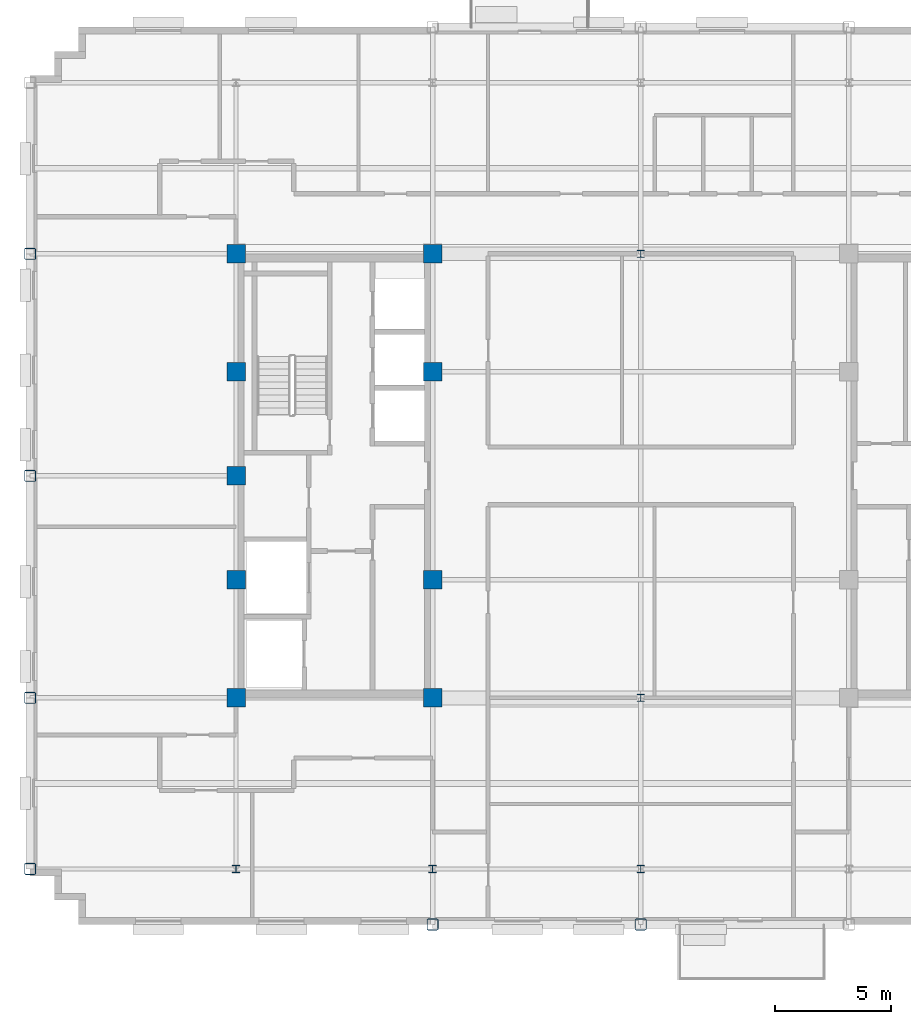
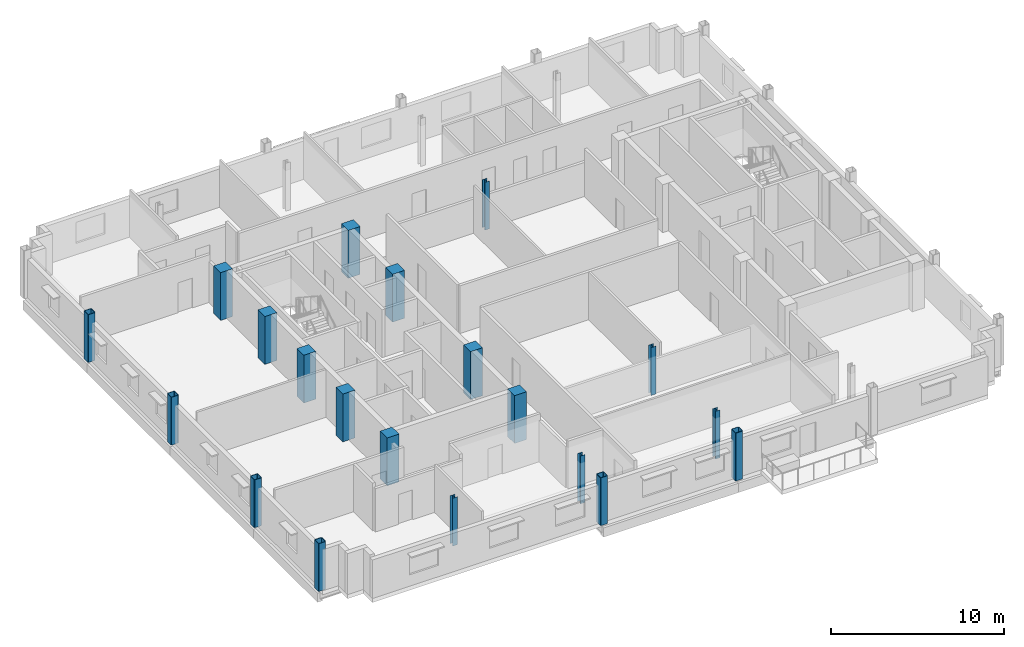
# One storey, part 1 of 13: 20 columns.
"""IFC4 building model written with IfcOpenShell, lengths in metres."""

from ifc_helpers import new_model, si_unit, direction, frame, origin, origin_2d, place, context, subcontext, project, spatial, rectangle, hollow_rectangle, i_section, extrude, material, material_profile, profile_set, type_object, element, save


model = new_model("IFC4")

# Units and contexts
model_context = context("Model", 3, precision=1e-05, world=origin(), true_north=direction((0.0, 1.0)))
body_context = subcontext(model_context, "Body", "Model", "MODEL_VIEW")
ifc_project = project(units=[si_unit("LENGTHUNIT", "METRE"), si_unit("AREAUNIT", "SQUARE_METRE"), si_unit("VOLUMEUNIT", "CUBIC_METRE"), si_unit("PLANEANGLEUNIT", "RADIAN"), si_unit("MASSUNIT", "GRAM", prefix="KILO")], contexts=[model_context])

# Site, building, storey
site_placement = place(None, origin())
site = spatial("IfcSite", under=ifc_project, at=site_placement, CompositionType="ELEMENT")
building_placement = place(site_placement, origin())
building = spatial("IfcBuilding", under=site, at=building_placement, Name="Nuvemarco Arch Tower", CompositionType="ELEMENT")
storey_placement = place(building_placement, frame((0.0, 0.0, 231.050048828125)))
storey = spatial("IfcBuildingStorey", under=building, at=storey_placement, Name="L61", CompositionType="ELEMENT", Elevation=231.050048828125)

# Columns
ifc_material_1 = material(Name="Concrete C50/60", Category="concrete")
ifc_material_profile_1 = material_profile(ifc_material_1, rectangle(XDim=0.800048828125, YDim=0.800048828125, at=origin_2d()), Name="RC-COL-800x800")
ifc_profile_set_1 = profile_set([ifc_material_profile_1], Name="Concrete C50/60")
column_type_1 = type_object("IfcColumnType", Name="COL-CORE-800", PredefinedType="COLUMN", material=ifc_profile_set_1)
for number, where, z_axis, x_axis, name in (
    (1, (-17.5, -9.60009765625, 0.0), (0.0, 0.0, 1.0), (1.0, 0.0, 0.0), "L61 column CC_-17.5_-9.6"),
    (2, (-17.5, -4.5, 0.0), (0.0, 0.0, 1.0), (1.0, 0.0, 0.0), "L61 column CC_-17.5_-4.5"),
    (3, (-17.5, 4.5, 0.0), (0.0, 0.0, 1.0), (1.0, 0.0, 0.0), "L61 column CC_-17.5_+4.5"),
    (4, (-17.5, 9.60009765625, 0.0), (0.0, 0.0, 1.0), (1.0, 0.0, 0.0), "L61 column CC_-17.5_+9.6"),
    (5, (-9.0, -9.60009765625, 0.0), (0.0, 0.0, 1.0), (1.0, 0.0, 0.0), "L61 column CC_-9.0_-9.6"),
    (6, (-9.0, -4.5, 0.0), (0.0, 0.0, 1.0), (1.0, 0.0, 0.0), "L61 column CC_-9.0_-4.5"),
    (7, (-9.0, 4.5, 0.0), (0.0, 0.0, 1.0), (1.0, 0.0, 0.0), "L61 column CC_-9.0_+4.5"),
    (8, (-9.0, 9.60009765625, 0.0), (0.0, 0.0, 1.0), (1.0, 0.0, 0.0), "L61 column CC_-9.0_+9.6"),
    (9, (-17.5, 0.0, 0.0), (0.0, 0.0, 1.0), (1.0, 0.0, 0.0), "L61 column CC_-17.5_+0.0"),
):
    element("IfcColumn", number, at=place(storey_placement, frame(where, z_axis=z_axis, x_axis=x_axis)), inside=storey, type_object=column_type_1, Name=name, PredefinedType="COLUMN", context=body_context, shape_type="SweptSolid", body=[
        extrude(rectangle(XDim=0.800048828125, YDim=0.800048828125, at=origin_2d()), origin(), (0.0, 0.0, 1.0), 3.369873046875),
    ])
ifc_material_2 = material(Name="Steel S355", Category="steel")
ifc_material_profile_2 = material_profile(ifc_material_2, hollow_rectangle(XDim=0.5, YDim=0.5, WallThickness=0.031982421875, InnerFilletRadius=0.031982421875, OuterFilletRadius=0.06396484375, at=origin_2d()), Name="SHS500x500x32")
ifc_profile_set_2 = profile_set([ifc_material_profile_2], Name="Steel S355")
column_type_2 = type_object("IfcColumnType", Name="COL-EXO-500", PredefinedType="COLUMN", material=ifc_profile_set_2)
for number, where, z_axis, x_axis, name in (
    (10, (-26.39990234375, -17.0, 0.0), (0.0, 0.0, 1.0), (1.0, 0.0, 0.0), "L61 column CX_-26.4_-17.0"),
    (11, (-26.39990234375, -9.60009765625, 0.0), (0.0, 0.0, 1.0), (1.0, 0.0, 0.0), "L61 column CX_-26.4_-9.6"),
    (12, (-26.39990234375, 0.0, 0.0), (0.0, 0.0, 1.0), (1.0, 0.0, 0.0), "L61 column CX_-26.4_+0.0"),
    (13, (-26.39990234375, 9.60009765625, 0.0), (0.0, 0.0, 1.0), (1.0, 0.0, 0.0), "L61 column CX_-26.4_+9.6"),
    (14, (-9.0, -19.39990234375, 0.0), (0.0, 0.0, 1.0), (1.0, 0.0, 0.0), "L61 column CY_-9.0_-19.4"),
    (15, (0.0, -19.39990234375, 0.0), (0.0, 0.0, 1.0), (1.0, 0.0, 0.0), "L61 column CY_+0.0_-19.4"),
):
    element("IfcColumn", number, at=place(storey_placement, frame(where, z_axis=z_axis, x_axis=x_axis)), inside=storey, type_object=column_type_2, Name=name, PredefinedType="COLUMN", context=body_context, shape_type="SweptSolid", body=[
        extrude(hollow_rectangle(XDim=0.5, YDim=0.5, WallThickness=0.031982421875, InnerFilletRadius=0.031982421875, OuterFilletRadius=0.06396484375, at=origin_2d()), origin(), (0.0, 0.0, 1.0), 3.369873046875),
    ])
ifc_material_profile_3 = material_profile(ifc_material_2, i_section(OverallWidth=0.31005859375, OverallDepth=0.31005859375, WebThickness=0.015380859375, FlangeThickness=0.015380859375, FilletRadius=0.014892578125, at=origin_2d()), Name="HP310x110")
ifc_profile_set_3 = profile_set([ifc_material_profile_3], Name="Steel S355")
column_type_3 = type_object("IfcColumnType", Name="COL-STL-HP310", PredefinedType="COLUMN", material=ifc_profile_set_3)
for number, where, z_axis, x_axis, name in (
    (16, (0.0, -17.0, 0.0), (0.0, 0.0, 1.0), (1.0, 0.0, 0.0), "L61 column CI_+0.0_-17.0"),
    (17, (0.0, -9.60009765625, 0.0), (0.0, 0.0, 1.0), (1.0, 0.0, 0.0), "L61 column CI_+0.0_-9.6"),
    (18, (0.0, 9.60009765625, 0.0), (0.0, 0.0, 1.0), (1.0, 0.0, 0.0), "L61 column CI_+0.0_+9.6"),
    (19, (-17.5, -17.0, 0.0), (0.0, 0.0, 1.0), (1.0, 0.0, 0.0), "L61 column CI_-17.5_-17.0"),
    (20, (-9.0, -17.0, 0.0), (0.0, 0.0, 1.0), (1.0, 0.0, 0.0), "L61 column CI_-9.0_-17.0"),
):
    element("IfcColumn", number, at=place(storey_placement, frame(where, z_axis=z_axis, x_axis=x_axis)), inside=storey, type_object=column_type_3, Name=name, PredefinedType="COLUMN", context=body_context, shape_type="SweptSolid", body=[
        extrude(i_section(OverallWidth=0.31005859375, OverallDepth=0.31005859375, WebThickness=0.015380859375, FlangeThickness=0.015380859375, FilletRadius=0.014892578125, at=origin_2d()), origin(), (0.0, 0.0, 1.0), 3.369873046875),
    ])

save(model, "model.ifc")
